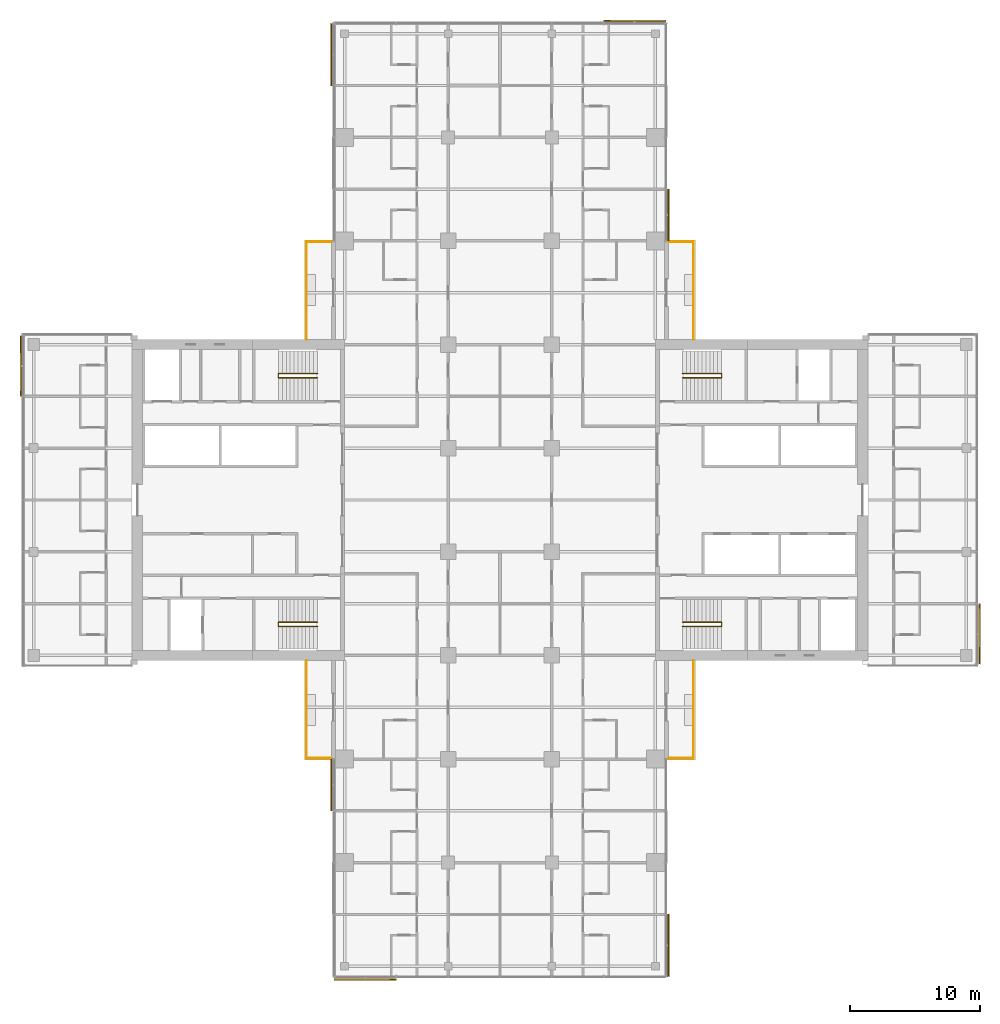
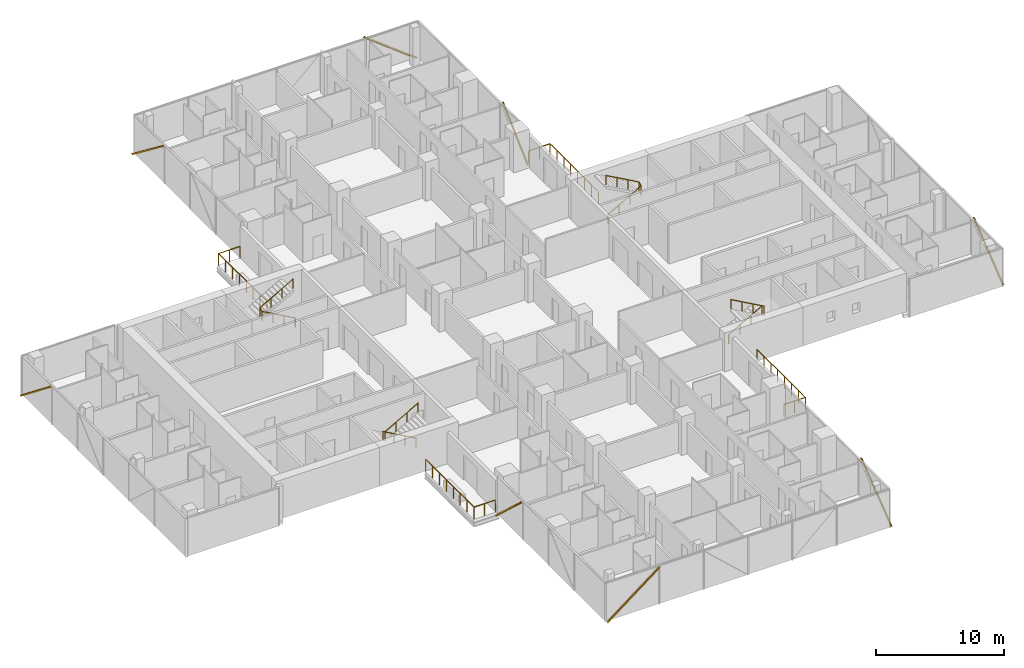
# One storey, part 29 of 29: 8 railings, 8 shading devices, 8 elements without a shape of their own.
"""IFC4 building model written with IfcOpenShell, lengths in metres."""

from ifc_helpers import new_model, si_unit, direction, frame, origin, origin_2d, place, context, subcontext, project, spatial, rectangle, circle, extrude, material, material_profile, profile_set, type_object, element, aggregate, save


model = new_model("IFC4")

# Units and contexts
model_context = context("Model", 3, precision=1e-05, world=origin(), true_north=direction((0.0, 1.0)))
body_context = subcontext(model_context, "Body", "Model", "MODEL_VIEW")
ifc_project = project(units=[si_unit("LENGTHUNIT", "METRE"), si_unit("AREAUNIT", "SQUARE_METRE"), si_unit("VOLUMEUNIT", "CUBIC_METRE"), si_unit("PLANEANGLEUNIT", "RADIAN"), si_unit("MASSUNIT", "GRAM", prefix="KILO")], contexts=[model_context])

# Site, building, storey
site_placement = place(None, origin())
site = spatial("IfcSite", under=ifc_project, at=site_placement, CompositionType="ELEMENT")
building_placement = place(site_placement, origin())
building = spatial("IfcBuilding", under=site, at=building_placement, Name="Crosswind Convention Tower", CompositionType="ELEMENT")
storey_placement = place(building_placement, frame((0.0, 0.0, 57.199951171875)))
storey = spatial("IfcBuildingStorey", under=building, at=storey_placement, Name="L08", CompositionType="ELEMENT", Elevation=57.199951171875)

# Railings
ifc_material_1 = material(Name="Steel and laminated glass balustrade", Category="steel")
railing_type_1 = type_object("IfcRailingType", Name="BALCONY BALUSTRADE 1150", PredefinedType="BALUSTRADE", material=ifc_material_1)
railing_1_placement = place(storey_placement, frame((139.93994140625, 112.39990234375, 0.0)))
element("IfcRailing", 1, at=railing_1_placement, inside=storey, type_object=railing_type_1, Name="R11 balcony balustrade L08 N-E.1-1", PredefinedType="BALUSTRADE", context=body_context, shape_type="SweptSolid", body=[
    extrude(circle(Radius=0.02392578125, at=origin_2d()), frame((0.0, 0.0, 1.1259765625), z_axis=(0.0, 1.0, 0.0), x_axis=(-1.0, 0.0, 0.0)), (0.0, 0.0, 1.0), 7.5400390625),
    extrude(circle(Radius=0.02392578125, at=origin_2d()), frame((0.0, 7.5400390625, 1.1259765625), z_axis=(-1.0, 0.0, 0.0), x_axis=(0.0, -1.0, 0.0)), (0.0, 0.0, 1.0), 1.9189453125),
    extrude(circle(Radius=0.02099609375, at=origin_2d()), origin(), (0.0, 0.0, 1.0), 1.101806640625),
    extrude(circle(Radius=0.02099609375, at=origin_2d()), frame((0.0, 1.0771484375, 0.0)), (0.0, 0.0, 1.0), 1.101806640625),
    extrude(circle(Radius=0.02099609375, at=origin_2d()), frame((0.0, 2.154296875, 0.0)), (0.0, 0.0, 1.0), 1.101806640625),
    extrude(circle(Radius=0.02099609375, at=origin_2d()), frame((0.0, 3.2314453125, 0.0)), (0.0, 0.0, 1.0), 1.101806640625),
    extrude(circle(Radius=0.02099609375, at=origin_2d()), frame((0.0, 4.30859375, 0.0)), (0.0, 0.0, 1.0), 1.101806640625),
    extrude(circle(Radius=0.02099609375, at=origin_2d()), frame((0.0, 5.3857421875, 0.0)), (0.0, 0.0, 1.0), 1.101806640625),
    extrude(circle(Radius=0.02099609375, at=origin_2d()), frame((0.0, 6.462890625, 0.0)), (0.0, 0.0, 1.0), 1.101806640625),
    extrude(circle(Radius=0.02099609375, at=origin_2d()), frame((0.0, 7.5400390625, 0.0)), (0.0, 0.0, 1.0), 1.101806640625),
    extrude(circle(Radius=0.02099609375, at=origin_2d()), frame((-0.95947265625, 7.5400390625, 0.0)), (0.0, 0.0, 1.0), 1.101806640625),
    extrude(circle(Radius=0.02099609375, at=origin_2d()), frame((-1.9189453125, 7.5400390625, 0.0)), (0.0, 0.0, 1.0), 1.101806640625),
])
railing_2_placement = place(storey_placement, frame((110.06005859375, 112.39990234375, 0.0)))
element("IfcRailing", 2, at=railing_2_placement, inside=storey, type_object=railing_type_1, Name="R11 balcony balustrade L08 N-W.1-3", PredefinedType="BALUSTRADE", context=body_context, shape_type="SweptSolid", body=[
    extrude(circle(Radius=0.02392578125, at=origin_2d()), frame((0.0, 0.0, 1.1259765625), z_axis=(0.0, 1.0, 0.0), x_axis=(-1.0, 0.0, 0.0)), (0.0, 0.0, 1.0), 7.5400390625),
    extrude(circle(Radius=0.02392578125, at=origin_2d()), frame((0.0, 7.5400390625, 1.1259765625), z_axis=(1.0, 0.0, 0.0), x_axis=(0.0, 1.0, 0.0)), (0.0, 0.0, 1.0), 1.9189453125),
    extrude(circle(Radius=0.02099609375, at=origin_2d()), origin(), (0.0, 0.0, 1.0), 1.101806640625),
    extrude(circle(Radius=0.02099609375, at=origin_2d()), frame((0.0, 1.0771484375, 0.0)), (0.0, 0.0, 1.0), 1.101806640625),
    extrude(circle(Radius=0.02099609375, at=origin_2d()), frame((0.0, 2.154296875, 0.0)), (0.0, 0.0, 1.0), 1.101806640625),
    extrude(circle(Radius=0.02099609375, at=origin_2d()), frame((0.0, 3.2314453125, 0.0)), (0.0, 0.0, 1.0), 1.101806640625),
    extrude(circle(Radius=0.02099609375, at=origin_2d()), frame((0.0, 4.30859375, 0.0)), (0.0, 0.0, 1.0), 1.101806640625),
    extrude(circle(Radius=0.02099609375, at=origin_2d()), frame((0.0, 5.3857421875, 0.0)), (0.0, 0.0, 1.0), 1.101806640625),
    extrude(circle(Radius=0.02099609375, at=origin_2d()), frame((0.0, 6.462890625, 0.0)), (0.0, 0.0, 1.0), 1.101806640625),
    extrude(circle(Radius=0.02099609375, at=origin_2d()), frame((0.0, 7.5400390625, 0.0)), (0.0, 0.0, 1.0), 1.101806640625),
    extrude(circle(Radius=0.02099609375, at=origin_2d()), frame((0.95947265625, 7.5400390625, 0.0)), (0.0, 0.0, 1.0), 1.101806640625),
    extrude(circle(Radius=0.02099609375, at=origin_2d()), frame((1.9189453125, 7.5400390625, 0.0)), (0.0, 0.0, 1.0), 1.101806640625),
])
railing_3_placement = place(storey_placement, frame((110.06005859375, 87.60009765625, 0.0)))
element("IfcRailing", 3, at=railing_3_placement, inside=storey, type_object=railing_type_1, Name="R11 balcony balustrade L08 S-W.1-1", PredefinedType="BALUSTRADE", context=body_context, shape_type="SweptSolid", body=[
    extrude(circle(Radius=0.02392578125, at=origin_2d()), frame((0.0, 0.0, 1.1259765625), z_axis=(0.0, -1.0, 0.0), x_axis=(1.0, 0.0, 0.0)), (0.0, 0.0, 1.0), 7.5400390625),
    extrude(circle(Radius=0.02392578125, at=origin_2d()), frame((0.0, -7.5400390625, 1.1259765625), z_axis=(1.0, 0.0, 0.0), x_axis=(0.0, 1.0, 0.0)), (0.0, 0.0, 1.0), 1.9189453125),
    extrude(circle(Radius=0.02099609375, at=origin_2d()), origin(), (0.0, 0.0, 1.0), 1.101806640625),
    extrude(circle(Radius=0.02099609375, at=origin_2d()), frame((0.0, -1.0771484375, 0.0)), (0.0, 0.0, 1.0), 1.101806640625),
    extrude(circle(Radius=0.02099609375, at=origin_2d()), frame((0.0, -2.154296875, 0.0)), (0.0, 0.0, 1.0), 1.101806640625),
    extrude(circle(Radius=0.02099609375, at=origin_2d()), frame((0.0, -3.2314453125, 0.0)), (0.0, 0.0, 1.0), 1.101806640625),
    extrude(circle(Radius=0.02099609375, at=origin_2d()), frame((0.0, -4.30859375, 0.0)), (0.0, 0.0, 1.0), 1.101806640625),
    extrude(circle(Radius=0.02099609375, at=origin_2d()), frame((0.0, -5.3857421875, 0.0)), (0.0, 0.0, 1.0), 1.101806640625),
    extrude(circle(Radius=0.02099609375, at=origin_2d()), frame((0.0, -6.462890625, 0.0)), (0.0, 0.0, 1.0), 1.101806640625),
    extrude(circle(Radius=0.02099609375, at=origin_2d()), frame((0.0, -7.5400390625, 0.0)), (0.0, 0.0, 1.0), 1.101806640625),
    extrude(circle(Radius=0.02099609375, at=origin_2d()), frame((0.95947265625, -7.5400390625, 0.0)), (0.0, 0.0, 1.0), 1.101806640625),
    extrude(circle(Radius=0.02099609375, at=origin_2d()), frame((1.9189453125, -7.5400390625, 0.0)), (0.0, 0.0, 1.0), 1.101806640625),
])
railing_4_placement = place(storey_placement, frame((139.93994140625, 87.60009765625, 0.0)))
element("IfcRailing", 4, at=railing_4_placement, inside=storey, type_object=railing_type_1, Name="R11 balcony balustrade L08 S-E.1-3", PredefinedType="BALUSTRADE", context=body_context, shape_type="SweptSolid", body=[
    extrude(circle(Radius=0.02392578125, at=origin_2d()), frame((0.0, 0.0, 1.1259765625), z_axis=(0.0, -1.0, 0.0), x_axis=(1.0, 0.0, 0.0)), (0.0, 0.0, 1.0), 7.5400390625),
    extrude(circle(Radius=0.02392578125, at=origin_2d()), frame((0.0, -7.5400390625, 1.1259765625), z_axis=(-1.0, 0.0, 0.0), x_axis=(0.0, -1.0, 0.0)), (0.0, 0.0, 1.0), 1.9189453125),
    extrude(circle(Radius=0.02099609375, at=origin_2d()), origin(), (0.0, 0.0, 1.0), 1.101806640625),
    extrude(circle(Radius=0.02099609375, at=origin_2d()), frame((0.0, -1.0771484375, 0.0)), (0.0, 0.0, 1.0), 1.101806640625),
    extrude(circle(Radius=0.02099609375, at=origin_2d()), frame((0.0, -2.154296875, 0.0)), (0.0, 0.0, 1.0), 1.101806640625),
    extrude(circle(Radius=0.02099609375, at=origin_2d()), frame((0.0, -3.2314453125, 0.0)), (0.0, 0.0, 1.0), 1.101806640625),
    extrude(circle(Radius=0.02099609375, at=origin_2d()), frame((0.0, -4.30859375, 0.0)), (0.0, 0.0, 1.0), 1.101806640625),
    extrude(circle(Radius=0.02099609375, at=origin_2d()), frame((0.0, -5.3857421875, 0.0)), (0.0, 0.0, 1.0), 1.101806640625),
    extrude(circle(Radius=0.02099609375, at=origin_2d()), frame((0.0, -6.462890625, 0.0)), (0.0, 0.0, 1.0), 1.101806640625),
    extrude(circle(Radius=0.02099609375, at=origin_2d()), frame((0.0, -7.5400390625, 0.0)), (0.0, 0.0, 1.0), 1.101806640625),
    extrude(circle(Radius=0.02099609375, at=origin_2d()), frame((-0.95947265625, -7.5400390625, 0.0)), (0.0, 0.0, 1.0), 1.101806640625),
    extrude(circle(Radius=0.02099609375, at=origin_2d()), frame((-1.9189453125, -7.5400390625, 0.0)), (0.0, 0.0, 1.0), 1.101806640625),
])
ifc_material_2 = material(Name="Stainless steel", Category="steel")
railing_type_2 = type_object("IfcRailingType", Name="Stair handrail 900", PredefinedType="HANDRAIL", material=ifc_material_2)
railing_5_placement = place(storey_placement, frame((139.10009765625, 109.43994140625, 0.168212890625)))
element("IfcRailing", 5, at=railing_5_placement, inside=storey, type_object=railing_type_2, Name="Stair ST1 handrail L08", PredefinedType="HANDRAIL", context=body_context, shape_type="SweptSolid", body=[
    extrude(circle(Radius=0.02392578125, at=origin_2d()), frame((0.0, 0.0, 0.8759765625), z_axis=(0.872272294576, 0.0, 0.489020494575), x_axis=(0.0, 1.0, 0.0)), (0.0, 0.0, 1.0), 3.439208984375),
    extrude(circle(Radius=0.02392578125, at=origin_2d()), frame((3.0, 0.0, 2.5576171875), z_axis=(0.0, 0.885196349292, 0.465217608438), x_axis=(-1.0, 0.0, 0.0)), (0.0, 0.0, 1.0), 0.361572265625),
    extrude(circle(Radius=0.02392578125, at=origin_2d()), frame((3.0, 0.320068359375, 2.72607421875), z_axis=(-0.872302573547, 0.0, 0.488966481656), x_axis=(0.0, -1.0, 0.0)), (0.0, 0.0, 1.0), 3.439208984375),
    extrude(circle(Radius=0.02099609375, at=origin_2d()), origin(), (0.0, 0.0, 1.0), 0.851806640625),
    extrude(circle(Radius=0.02099609375, at=origin_2d()), frame((1.0, 0.0, 0.560546875)), (0.0, 0.0, 1.0), 0.851806640625),
    extrude(circle(Radius=0.02099609375, at=origin_2d()), frame((2.0, 0.0, 1.121337890625)), (0.0, 0.0, 1.0), 0.851806640625),
    extrude(circle(Radius=0.02099609375, at=origin_2d()), frame((3.0, 0.0, 1.681884765625)), (0.0, 0.0, 1.0), 0.851806640625),
    extrude(circle(Radius=0.02099609375, at=origin_2d()), frame((3.0, 0.320068359375, 1.85009765625)), (0.0, 0.0, 1.0), 0.851806640625),
    extrude(circle(Radius=0.02099609375, at=origin_2d()), frame((2.0, 0.320068359375, 2.41064453125)), (0.0, 0.0, 1.0), 0.851806640625),
    extrude(circle(Radius=0.02099609375, at=origin_2d()), frame((1.0, 0.320068359375, 2.97119140625)), (0.0, 0.0, 1.0), 0.851806640625),
    extrude(circle(Radius=0.02099609375, at=origin_2d()), frame((0.0, 0.320068359375, 3.53173828125)), (0.0, 0.0, 1.0), 0.851806640625),
])
railing_6_placement = place(storey_placement, frame((139.10009765625, 90.56005859375, 0.168212890625)))
element("IfcRailing", 6, at=railing_6_placement, inside=storey, type_object=railing_type_2, Name="Stair ST2 handrail L08", PredefinedType="HANDRAIL", context=body_context, shape_type="SweptSolid", body=[
    extrude(circle(Radius=0.02392578125, at=origin_2d()), frame((0.0, 0.0, 0.8759765625), z_axis=(0.872272294576, 0.0, 0.489020494575), x_axis=(0.0, 1.0, 0.0)), (0.0, 0.0, 1.0), 3.439208984375),
    extrude(circle(Radius=0.02392578125, at=origin_2d()), frame((3.0, 0.0, 2.5576171875), z_axis=(0.0, -0.885196349292, 0.465217608438), x_axis=(1.0, 0.0, 0.0)), (0.0, 0.0, 1.0), 0.361572265625),
    extrude(circle(Radius=0.02392578125, at=origin_2d()), frame((3.0, -0.320068359375, 2.72607421875), z_axis=(-0.872302573547, 0.0, 0.488966481656), x_axis=(0.0, -1.0, 0.0)), (0.0, 0.0, 1.0), 3.439208984375),
    extrude(circle(Radius=0.02099609375, at=origin_2d()), origin(), (0.0, 0.0, 1.0), 0.851806640625),
    extrude(circle(Radius=0.02099609375, at=origin_2d()), frame((1.0, 0.0, 0.560546875)), (0.0, 0.0, 1.0), 0.851806640625),
    extrude(circle(Radius=0.02099609375, at=origin_2d()), frame((2.0, 0.0, 1.121337890625)), (0.0, 0.0, 1.0), 0.851806640625),
    extrude(circle(Radius=0.02099609375, at=origin_2d()), frame((3.0, 0.0, 1.681884765625)), (0.0, 0.0, 1.0), 0.851806640625),
    extrude(circle(Radius=0.02099609375, at=origin_2d()), frame((3.0, -0.320068359375, 1.85009765625)), (0.0, 0.0, 1.0), 0.851806640625),
    extrude(circle(Radius=0.02099609375, at=origin_2d()), frame((2.0, -0.320068359375, 2.41064453125)), (0.0, 0.0, 1.0), 0.851806640625),
    extrude(circle(Radius=0.02099609375, at=origin_2d()), frame((1.0, -0.320068359375, 2.97119140625)), (0.0, 0.0, 1.0), 0.851806640625),
    extrude(circle(Radius=0.02099609375, at=origin_2d()), frame((0.0, -0.320068359375, 3.53173828125)), (0.0, 0.0, 1.0), 0.851806640625),
])
railing_7_placement = place(storey_placement, frame((110.89990234375, 90.56005859375, 0.168212890625)))
element("IfcRailing", 7, at=railing_7_placement, inside=storey, type_object=railing_type_2, Name="Stair ST3 handrail L08", PredefinedType="HANDRAIL", context=body_context, shape_type="SweptSolid", body=[
    extrude(circle(Radius=0.02392578125, at=origin_2d()), frame((0.0, 0.0, 0.8759765625), z_axis=(-0.872272294576, 0.0, 0.489020494575), x_axis=(0.0, -1.0, 0.0)), (0.0, 0.0, 1.0), 3.439208984375),
    extrude(circle(Radius=0.02392578125, at=origin_2d()), frame((-3.0, 0.0, 2.5576171875), z_axis=(0.0, -0.885196349292, 0.465217608438), x_axis=(1.0, 0.0, 0.0)), (0.0, 0.0, 1.0), 0.361572265625),
    extrude(circle(Radius=0.02392578125, at=origin_2d()), frame((-3.0, -0.320068359375, 2.72607421875), z_axis=(0.872302573547, 0.0, 0.488966481656), x_axis=(0.0, 1.0, 0.0)), (0.0, 0.0, 1.0), 3.439208984375),
    extrude(circle(Radius=0.02099609375, at=origin_2d()), origin(), (0.0, 0.0, 1.0), 0.851806640625),
    extrude(circle(Radius=0.02099609375, at=origin_2d()), frame((-1.0, 0.0, 0.560546875)), (0.0, 0.0, 1.0), 0.851806640625),
    extrude(circle(Radius=0.02099609375, at=origin_2d()), frame((-2.0, 0.0, 1.121337890625)), (0.0, 0.0, 1.0), 0.851806640625),
    extrude(circle(Radius=0.02099609375, at=origin_2d()), frame((-3.0, 0.0, 1.681884765625)), (0.0, 0.0, 1.0), 0.851806640625),
    extrude(circle(Radius=0.02099609375, at=origin_2d()), frame((-3.0, -0.320068359375, 1.85009765625)), (0.0, 0.0, 1.0), 0.851806640625),
    extrude(circle(Radius=0.02099609375, at=origin_2d()), frame((-2.0, -0.320068359375, 2.41064453125)), (0.0, 0.0, 1.0), 0.851806640625),
    extrude(circle(Radius=0.02099609375, at=origin_2d()), frame((-1.0, -0.320068359375, 2.97119140625)), (0.0, 0.0, 1.0), 0.851806640625),
    extrude(circle(Radius=0.02099609375, at=origin_2d()), frame((0.0, -0.320068359375, 3.53173828125)), (0.0, 0.0, 1.0), 0.851806640625),
])
railing_8_placement = place(storey_placement, frame((110.89990234375, 109.43994140625, 0.168212890625)))
element("IfcRailing", 8, at=railing_8_placement, inside=storey, type_object=railing_type_2, Name="Stair ST4 handrail L08", PredefinedType="HANDRAIL", context=body_context, shape_type="SweptSolid", body=[
    extrude(circle(Radius=0.02392578125, at=origin_2d()), frame((0.0, 0.0, 0.8759765625), z_axis=(-0.872272294576, 0.0, 0.489020494575), x_axis=(0.0, -1.0, 0.0)), (0.0, 0.0, 1.0), 3.439208984375),
    extrude(circle(Radius=0.02392578125, at=origin_2d()), frame((-3.0, 0.0, 2.5576171875), z_axis=(0.0, 0.885196349292, 0.465217608438), x_axis=(-1.0, 0.0, 0.0)), (0.0, 0.0, 1.0), 0.361572265625),
    extrude(circle(Radius=0.02392578125, at=origin_2d()), frame((-3.0, 0.320068359375, 2.72607421875), z_axis=(0.872302573547, 0.0, 0.488966481656), x_axis=(0.0, 1.0, 0.0)), (0.0, 0.0, 1.0), 3.439208984375),
    extrude(circle(Radius=0.02099609375, at=origin_2d()), origin(), (0.0, 0.0, 1.0), 0.851806640625),
    extrude(circle(Radius=0.02099609375, at=origin_2d()), frame((-1.0, 0.0, 0.560546875)), (0.0, 0.0, 1.0), 0.851806640625),
    extrude(circle(Radius=0.02099609375, at=origin_2d()), frame((-2.0, 0.0, 1.121337890625)), (0.0, 0.0, 1.0), 0.851806640625),
    extrude(circle(Radius=0.02099609375, at=origin_2d()), frame((-3.0, 0.0, 1.681884765625)), (0.0, 0.0, 1.0), 0.851806640625),
    extrude(circle(Radius=0.02099609375, at=origin_2d()), frame((-3.0, 0.320068359375, 1.85009765625)), (0.0, 0.0, 1.0), 0.851806640625),
    extrude(circle(Radius=0.02099609375, at=origin_2d()), frame((-2.0, 0.320068359375, 2.41064453125)), (0.0, 0.0, 1.0), 0.851806640625),
    extrude(circle(Radius=0.02099609375, at=origin_2d()), frame((-1.0, 0.320068359375, 2.97119140625)), (0.0, 0.0, 1.0), 0.851806640625),
    extrude(circle(Radius=0.02099609375, at=origin_2d()), frame((0.0, 0.320068359375, 3.53173828125)), (0.0, 0.0, 1.0), 0.851806640625),
])

# Curtain wall, shading device
ifc_material_3 = material(Name="Aluminium unitised curtain wall", Category="aluminium")
curtain_wall_type = type_object("IfcCurtainWallType", Name="HOTEL UNITISED WALL 200", PredefinedType="USERDEFINED", material=ifc_material_3)
curtain_wall_1_placement = place(storey_placement, origin())
curtain_wall_1 = element("IfcCurtainWall", 9, at=curtain_wall_1_placement, inside=storey, type_object=curtain_wall_type, Name="CW2 L08 E-TIP 1", ObjectType="UNITISED", PredefinedType="USERDEFINED")
ifc_material_4 = material(Name="Extruded terracotta", Category="masonry")
ifc_material_profile = material_profile(ifc_material_4, rectangle(XDim=0.10009765625, YDim=0.1201171875, at=origin_2d()), Name="TC 100X120")
ifc_profile_set = profile_set([ifc_material_profile], Name="Extruded terracotta")
shading_device_type = type_object("IfcShadingDeviceType", Name="TERRACOTTA BAGUETTE 120X100", PredefinedType="USERDEFINED", material=ifc_profile_set)
shading_device_1_placement = place(storey_placement, frame((162.008056640625, 87.364990234375, -0.280029296875), z_axis=(0.0, 0.784764474718, 0.619794094212), x_axis=(-1.0, 0.0, 0.0)))
shading_device_1 = element("IfcShadingDevice", 10, at=shading_device_1_placement, type_object=shading_device_type, Name="CW2 terracotta baguette 1", ObjectType="BAGUETTE", PredefinedType="USERDEFINED", context=body_context, shape_type="SweptSolid", body=[
    extrude(rectangle(XDim=0.10009765625, YDim=0.1201171875, at=origin_2d()), origin(), (0.0, 0.0, 1.0), 5.86474609375),
])
aggregate(curtain_wall_1, [shading_device_1])

curtain_wall_2_placement = place(storey_placement, origin())
curtain_wall_2 = element("IfcCurtainWall", 11, at=curtain_wall_2_placement, inside=storey, type_object=curtain_wall_type, Name="CW2 L08 N-E 1", ObjectType="UNITISED", PredefinedType="USERDEFINED")
shading_device_2_placement = place(storey_placement, frame((138.008056640625, 120.032470703125, -0.280029296875), z_axis=(0.0, 0.734557036047, 0.678546948114), x_axis=(-1.0, 0.0, 0.0)))
shading_device_2 = element("IfcShadingDevice", 12, at=shading_device_2_placement, type_object=shading_device_type, Name="CW2 terracotta baguette 1", ObjectType="BAGUETTE", PredefinedType="USERDEFINED", context=body_context, shape_type="SweptSolid", body=[
    extrude(rectangle(XDim=0.10009765625, YDim=0.1201171875, at=origin_2d()), origin(), (0.0, 0.0, 1.0), 5.35693359375),
])
aggregate(curtain_wall_2, [shading_device_2])

curtain_wall_3_placement = place(storey_placement, origin())
curtain_wall_3 = element("IfcCurtainWall", 13, at=curtain_wall_3_placement, inside=storey, type_object=curtain_wall_type, Name="CW2 L08 N-TIP 1", ObjectType="UNITISED", PredefinedType="USERDEFINED")
shading_device_3_placement = place(storey_placement, frame((137.767578125, 137.008056640625, -0.280029296875), z_axis=(-0.793221117913, 0.0, 0.608933705831), x_axis=(0.0, -1.0, 0.0)))
shading_device_3 = element("IfcShadingDevice", 14, at=shading_device_3_placement, type_object=shading_device_type, Name="CW2 terracotta baguette 1", ObjectType="BAGUETTE", PredefinedType="USERDEFINED", context=body_context, shape_type="SweptSolid", body=[
    extrude(rectangle(XDim=0.10009765625, YDim=0.1201171875, at=origin_2d()), origin(), (0.0, 0.0, 1.0), 5.969482421875),
])
aggregate(curtain_wall_3, [shading_device_3])

curtain_wall_4_placement = place(storey_placement, origin())
curtain_wall_4 = element("IfcCurtainWall", 15, at=curtain_wall_4_placement, inside=storey, type_object=curtain_wall_type, Name="CW2 L08 N-W 1", ObjectType="UNITISED", PredefinedType="USERDEFINED")
shading_device_4_placement = place(storey_placement, frame((111.991943359375, 136.767578125, -0.280029296875), z_axis=(0.0, -0.793221117913, 0.608933705831), x_axis=(1.0, 0.0, 0.0)))
shading_device_4 = element("IfcShadingDevice", 16, at=shading_device_4_placement, type_object=shading_device_type, Name="CW2 terracotta baguette 1", ObjectType="BAGUETTE", PredefinedType="USERDEFINED", context=body_context, shape_type="SweptSolid", body=[
    extrude(rectangle(XDim=0.10009765625, YDim=0.1201171875, at=origin_2d()), origin(), (0.0, 0.0, 1.0), 5.969482421875),
])
aggregate(curtain_wall_4, [shading_device_4])

curtain_wall_5_placement = place(storey_placement, origin())
curtain_wall_5 = element("IfcCurtainWall", 17, at=curtain_wall_5_placement, inside=storey, type_object=curtain_wall_type, Name="CW2 L08 W-TIP 1", ObjectType="UNITISED", PredefinedType="USERDEFINED")
shading_device_5_placement = place(storey_placement, frame((87.991943359375, 112.635009765625, -0.280029296875), z_axis=(0.0, -0.784764474718, 0.619794094212), x_axis=(1.0, 0.0, 0.0)))
shading_device_5 = element("IfcShadingDevice", 18, at=shading_device_5_placement, type_object=shading_device_type, Name="CW2 terracotta baguette 1", ObjectType="BAGUETTE", PredefinedType="USERDEFINED", context=body_context, shape_type="SweptSolid", body=[
    extrude(rectangle(XDim=0.10009765625, YDim=0.1201171875, at=origin_2d()), origin(), (0.0, 0.0, 1.0), 5.86474609375),
])
aggregate(curtain_wall_5, [shading_device_5])

curtain_wall_6_placement = place(storey_placement, origin())
curtain_wall_6 = element("IfcCurtainWall", 19, at=curtain_wall_6_placement, inside=storey, type_object=curtain_wall_type, Name="CW2 L08 S-W 1", ObjectType="UNITISED", PredefinedType="USERDEFINED")
shading_device_6_placement = place(storey_placement, frame((111.991943359375, 79.967529296875, -0.280029296875), z_axis=(0.0, -0.734557036047, 0.678546948114), x_axis=(1.0, 0.0, 0.0)))
shading_device_6 = element("IfcShadingDevice", 20, at=shading_device_6_placement, type_object=shading_device_type, Name="CW2 terracotta baguette 1", ObjectType="BAGUETTE", PredefinedType="USERDEFINED", context=body_context, shape_type="SweptSolid", body=[
    extrude(rectangle(XDim=0.10009765625, YDim=0.1201171875, at=origin_2d()), origin(), (0.0, 0.0, 1.0), 5.35693359375),
])
aggregate(curtain_wall_6, [shading_device_6])

curtain_wall_7_placement = place(storey_placement, origin())
curtain_wall_7 = element("IfcCurtainWall", 21, at=curtain_wall_7_placement, inside=storey, type_object=curtain_wall_type, Name="CW2 L08 S-TIP 1", ObjectType="UNITISED", PredefinedType="USERDEFINED")
shading_device_7_placement = place(storey_placement, frame((112.232421875, 62.991943359375, -0.280029296875), z_axis=(0.793221117913, 0.0, 0.608933705831), x_axis=(0.0, 1.0, 0.0)))
shading_device_7 = element("IfcShadingDevice", 22, at=shading_device_7_placement, type_object=shading_device_type, Name="CW2 terracotta baguette 1", ObjectType="BAGUETTE", PredefinedType="USERDEFINED", context=body_context, shape_type="SweptSolid", body=[
    extrude(rectangle(XDim=0.10009765625, YDim=0.1201171875, at=origin_2d()), origin(), (0.0, 0.0, 1.0), 5.969482421875),
])
aggregate(curtain_wall_7, [shading_device_7])

curtain_wall_8_placement = place(storey_placement, origin())
curtain_wall_8 = element("IfcCurtainWall", 23, at=curtain_wall_8_placement, inside=storey, type_object=curtain_wall_type, Name="CW2 L08 S-E 1", ObjectType="UNITISED", PredefinedType="USERDEFINED")
shading_device_8_placement = place(storey_placement, frame((138.008056640625, 63.232421875, -0.280029296875), z_axis=(0.0, 0.793221117913, 0.608933705831), x_axis=(-1.0, 0.0, 0.0)))
shading_device_8 = element("IfcShadingDevice", 24, at=shading_device_8_placement, type_object=shading_device_type, Name="CW2 terracotta baguette 1", ObjectType="BAGUETTE", PredefinedType="USERDEFINED", context=body_context, shape_type="SweptSolid", body=[
    extrude(rectangle(XDim=0.10009765625, YDim=0.1201171875, at=origin_2d()), origin(), (0.0, 0.0, 1.0), 5.969482421875),
])
aggregate(curtain_wall_8, [shading_device_8])

save(model, "model.ifc")
